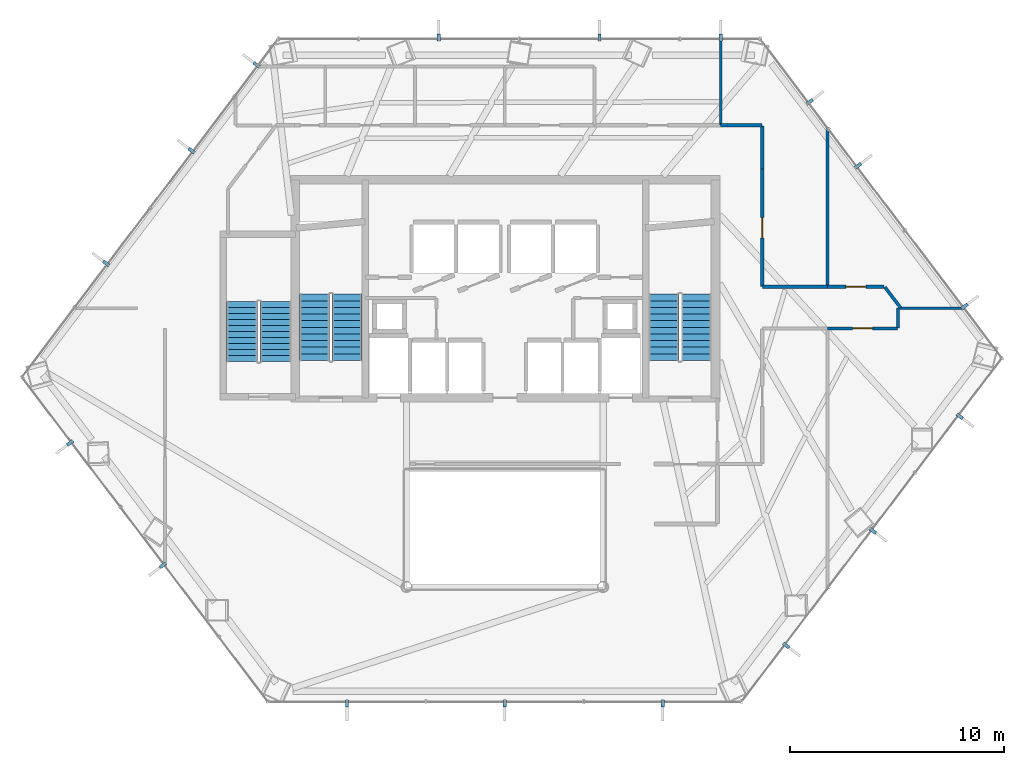
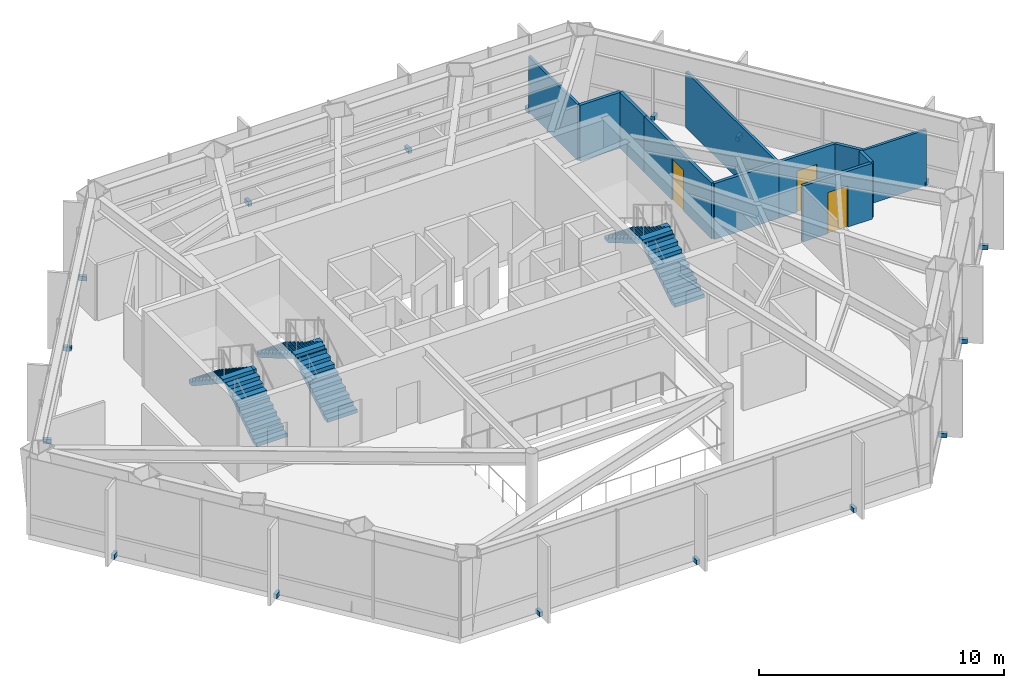
# One storey, part 26 of 27: 17 discrete accessories, 11 walls, 6 stair flights, 3 doors, 3 openings, 3 elements without a shape of their own.
"""IFC4 building model written with IfcOpenShell, lengths in metres."""

from ifc_helpers import new_model, si_unit, direction, frame, frame_2d, origin, origin_2d, place, context, subcontext, project, spatial, polyline, rectangle, outline, extrude, material, layer, layer_set, type_object, element, fill, aggregate, save


model = new_model("IFC4")

# Units and contexts
model_context = context("Model", 3, precision=1e-05, world=origin(), true_north=direction((0.0, 1.0)))
body_context = subcontext(model_context, "Body", "Model", "MODEL_VIEW")
ifc_project = project(units=[si_unit("LENGTHUNIT", "METRE"), si_unit("AREAUNIT", "SQUARE_METRE"), si_unit("VOLUMEUNIT", "CUBIC_METRE"), si_unit("PLANEANGLEUNIT", "RADIAN"), si_unit("MASSUNIT", "GRAM", prefix="KILO")], contexts=[model_context])

# Site, building, storey
site_placement = place(None, origin())
site = spatial("IfcSite", under=ifc_project, at=site_placement, CompositionType="ELEMENT")
building_placement = place(site_placement, origin())
building = spatial("IfcBuilding", under=site, at=building_placement, Name="Zarrinselat Tower", CompositionType="ELEMENT")
storey_placement = place(building_placement, frame((0.0, 0.0, 47.93994140625)))
storey = spatial("IfcBuildingStorey", under=building, at=storey_placement, Name="L11", CompositionType="ELEMENT", Elevation=47.93994140625)

# Wall
ifc_material_1 = material(Name="Fire-Rated Gypsum Board Partition", Category="gypsum")
ifc_layer_1 = layer(ifc_material_1, 0.14990234375)
ifc_layer_set_1 = layer_set([ifc_layer_1], Name="Fire-Rated Gypsum Board Partition")
wall_type_1 = type_object("IfcWallType", Name="WAL-PART-EI60", PredefinedType="PARTITIONING", material=ifc_layer_set_1)
wall_1_placement = place(storey_placement, frame((56.800048828125, 36.52001953125, 0.0), z_axis=(0.0, 0.0, 1.0), x_axis=(0.0, 1.0, 0.0)))
element("IfcWall", 1, at=wall_1_placement, inside=storey, type_object=wall_type_1, Name="L11 Partition Wall 20", PredefinedType="PARTITIONING", context=body_context, shape_type="SweptSolid", body=[
    extrude(rectangle(XDim=0.925048828125, YDim=0.14990234375, at=frame_2d((0.46240234375, 0.0))), origin(), (0.0, 0.0, 1.0), 2.777099609375),
])

# Wall, opening, door
wall_2_placement = place(storey_placement, frame((53.5048828125, 36.5, 0.0), z_axis=(0.0, 0.0, 1.0), x_axis=(1.0, 0.0, 0.0)))
wall_2 = element("IfcWall", 2, at=wall_2_placement, inside=storey, type_object=wall_type_1, Name="L11 Partition Wall 21", PredefinedType="PARTITIONING", context=body_context, shape_type="SweptSolid", body=[
    extrude(rectangle(XDim=3.275146484375, YDim=0.14990234375, at=frame_2d((1.6376953125, 0.0))), origin(), (0.0, 0.0, 1.0), 2.777099609375),
])
opening_1_placement = place(wall_2_placement, frame((1.16748046875, 0.0, 0.0)))
opening_1 = element("IfcOpeningElement", 3, at=opening_1_placement, cuts=wall_2, Name="Opening ID-04", PredefinedType="OPENING", context=body_context, shape_type="SweptSolid", body=[
    extrude(rectangle(XDim=0.93994140625, YDim=2.050048828125, at=frame_2d((0.469970703125, 1.02490234375))), frame((0.0, 0.0849609375, 0.0), z_axis=(0.0, -1.0, 0.0), x_axis=(1.0, 0.0, 0.0)), (0.0, 0.0, 1.0), 0.169921875),
])
ifc_material_2 = material(Name="Fire-Rated Gypsum Board Partition")
door_type = type_object("IfcDoorType", Name="DR-INT-FD30-ENT", OperationType="NOTDEFINED", PredefinedType="DOOR", material=ifc_material_2)
door_1_placement = place(opening_1_placement, origin())
door_1 = element("IfcDoor", 4, at=door_1_placement, inside=storey, type_object=door_type, Name="L11 Interior Door P21", OperationType="SINGLE_SWING_LEFT", OverallHeight=2.050048828125, OverallWidth=0.93994140625, PredefinedType="DOOR", context=body_context, shape_type="SweptSolid", body=[
    extrude(rectangle(XDim=0.93994140625, YDim=2.050048828125, at=frame_2d((0.469970703125, 1.02490234375))), frame((0.0, 0.02490234375, 0.0), z_axis=(0.0, -1.0, 0.0), x_axis=(1.0, 0.0, 0.0)), (0.0, 0.0, 1.0), 0.050048828125),
])
fill(opening_1, door_1)

wall_3_placement = place(storey_placement, frame((53.5048828125, 38.449951171875, 0.0), z_axis=(0.0, 0.0, 1.0), x_axis=(1.0, 0.0, 0.0)))
wall_3 = element("IfcWall", 5, at=wall_3_placement, inside=storey, type_object=wall_type_1, Name="L11 Partition Wall 22", PredefinedType="PARTITIONING", context=body_context, shape_type="SweptSolid", body=[
    extrude(rectangle(XDim=2.6474609375, YDim=0.14990234375, at=frame_2d((1.32373046875, 0.0))), origin(), (0.0, 0.0, 1.0), 2.777099609375),
])
opening_2_placement = place(wall_3_placement, frame((0.853515625, 0.0, 0.0)))
opening_2 = element("IfcOpeningElement", 6, at=opening_2_placement, cuts=wall_3, Name="Opening ID-04", PredefinedType="OPENING", context=body_context, shape_type="SweptSolid", body=[
    extrude(rectangle(XDim=0.93994140625, YDim=2.050048828125, at=frame_2d((0.469970703125, 1.02490234375))), frame((0.0, 0.0849609375, 0.0), z_axis=(0.0, -1.0, 0.0), x_axis=(1.0, 0.0, 0.0)), (0.0, 0.0, 1.0), 0.169921875),
])
door_2_placement = place(opening_2_placement, origin())
door_2 = element("IfcDoor", 7, at=door_2_placement, inside=storey, type_object=door_type, Name="L11 Interior Door P22", OperationType="SINGLE_SWING_RIGHT", OverallHeight=2.050048828125, OverallWidth=0.93994140625, PredefinedType="DOOR", context=body_context, shape_type="SweptSolid", body=[
    extrude(rectangle(XDim=0.93994140625, YDim=2.050048828125, at=frame_2d((0.469970703125, 1.02490234375))), frame((0.0, 0.02490234375, 0.0), z_axis=(0.0, -1.0, 0.0), x_axis=(1.0, 0.0, 0.0)), (0.0, 0.0, 1.0), 0.050048828125),
])
fill(opening_2, door_2)

# Walls
wall_4_placement = place(storey_placement, frame((56.184326171875, 38.43408203125, 0.0), z_axis=(0.0, 0.0, 1.0), x_axis=(0.603900079305, -0.797060031751, 0.0)))
element("IfcWall", 8, at=wall_4_placement, inside=storey, type_object=wall_type_1, Name="L11 Partition Wall 23", PredefinedType="PARTITIONING", context=body_context, shape_type="SweptSolid", body=[
    extrude(rectangle(XDim=1.2197265625, YDim=0.14990234375, at=frame_2d((0.60986328125, 0.0))), origin(), (0.0, 0.0, 1.0), 2.777099609375),
])
wall_5_placement = place(storey_placement, frame((48.5048828125, 46.0, 0.0), z_axis=(0.0, 0.0, 1.0), x_axis=(1.0, 0.0, 0.0)))
element("IfcWall", 9, at=wall_5_placement, inside=storey, type_object=wall_type_1, Name="L11 Partition Wall 26", PredefinedType="PARTITIONING", context=body_context, shape_type="SweptSolid", body=[
    extrude(rectangle(XDim=1.925048828125, YDim=0.14990234375, at=frame_2d((0.96240234375, 0.0))), origin(), (0.0, 0.0, 1.0), 2.777099609375),
])
wall_6_placement = place(storey_placement, frame((50.449951171875, 43.949951171875, 0.0), z_axis=(0.0, 0.0, 1.0), x_axis=(0.0, 1.0, 0.0)))
element("IfcWall", 10, at=wall_6_placement, inside=storey, type_object=wall_type_1, Name="L11 Partition Wall 27", PredefinedType="PARTITIONING", context=body_context, shape_type="SweptSolid", body=[
    extrude(rectangle(XDim=2.030029296875, YDim=0.14990234375, at=frame_2d((1.01513671875, 0.0))), origin(), (0.0, 0.0, 1.0), 2.777099609375),
])

# Wall, opening, door
wall_7_placement = place(storey_placement, frame((50.449951171875, 38.469970703125, 0.0), z_axis=(0.0, 0.0, 1.0), x_axis=(0.0, 1.0, 0.0)))
wall_7 = element("IfcWall", 11, at=wall_7_placement, inside=storey, type_object=wall_type_1, Name="L11 Partition Wall 28", PredefinedType="PARTITIONING", context=body_context, shape_type="SweptSolid", body=[
    extrude(rectangle(XDim=5.47998046875, YDim=0.14990234375, at=frame_2d((2.739990234375, 0.0))), origin(), (0.0, 0.0, 1.0), 2.777099609375),
])
opening_3_placement = place(wall_7_placement, frame((2.27001953125, 0.0, 0.0)))
opening_3 = element("IfcOpeningElement", 12, at=opening_3_placement, cuts=wall_7, Name="Opening ID-04", PredefinedType="OPENING", context=body_context, shape_type="SweptSolid", body=[
    extrude(rectangle(XDim=0.93994140625, YDim=2.050048828125, at=frame_2d((0.469970703125, 1.02490234375))), frame((0.0, 0.0849609375, 0.0), z_axis=(0.0, -1.0, 0.0), x_axis=(1.0, 0.0, 0.0)), (0.0, 0.0, 1.0), 0.169921875),
])
door_3_placement = place(opening_3_placement, origin())
door_3 = element("IfcDoor", 13, at=door_3_placement, inside=storey, type_object=door_type, Name="L11 Interior Door P28", OperationType="SINGLE_SWING_RIGHT", OverallHeight=2.050048828125, OverallWidth=0.93994140625, PredefinedType="DOOR", context=body_context, shape_type="SweptSolid", body=[
    extrude(rectangle(XDim=0.93994140625, YDim=2.050048828125, at=frame_2d((0.469970703125, 1.02490234375))), frame((0.0, 0.02490234375, 0.0), z_axis=(0.0, -1.0, 0.0), x_axis=(1.0, 0.0, 0.0)), (0.0, 0.0, 1.0), 0.050048828125),
])
fill(opening_3, door_3)

# Walls
wall_8_placement = place(storey_placement, frame((50.469970703125, 38.449951171875, 0.0), z_axis=(0.0, 0.0, 1.0), x_axis=(1.0, 0.0, 0.0)))
element("IfcWall", 14, at=wall_8_placement, inside=storey, type_object=wall_type_1, Name="L11 Partition Wall 29", PredefinedType="PARTITIONING", context=body_context, shape_type="SweptSolid", body=[
    extrude(rectangle(XDim=3.025146484375, YDim=0.14990234375, at=frame_2d((1.5126953125, 0.0))), origin(), (0.0, 0.0, 1.0), 2.777099609375),
])
ifc_material_3 = material(Name="Fire-Rated Gypsum Board Partition", Category="gypsum")
ifc_layer_2 = layer(ifc_material_3, 0.1201171875)
ifc_layer_set_2 = layer_set([ifc_layer_2], Name="Fire-Rated Gypsum Board Partition")
wall_type_2 = type_object("IfcWallType", Name="WAL-PART-STD", PredefinedType="PARTITIONING", material=ifc_layer_set_2)
wall_9_placement = place(storey_placement, frame((56.820068359375, 37.449951171875, 0.0), z_axis=(0.0, 0.0, 1.0), x_axis=(1.0, 0.0, 0.0)))
element("IfcWall", 15, at=wall_9_placement, inside=storey, type_object=wall_type_2, Name="L11 Partition Wall 43", PredefinedType="PARTITIONING", context=body_context, shape_type="SweptSolid", body=[
    extrude(rectangle(XDim=3.055419921875, YDim=0.1201171875, at=frame_2d((1.52783203125, 0.0))), origin(), (0.0, 0.0, 1.0), 2.777099609375),
])
wall_10_placement = place(storey_placement, frame((53.5, 38.469970703125, 0.0), z_axis=(0.0, 0.0, 1.0), x_axis=(0.0, 1.0, 0.0)))
element("IfcWall", 16, at=wall_10_placement, inside=storey, type_object=wall_type_2, Name="L11 Partition Wall 45", PredefinedType="PARTITIONING", context=body_context, shape_type="SweptSolid", body=[
    extrude(rectangle(XDim=7.400634765625, YDim=0.1201171875, at=frame_2d((3.7001953125, 0.0))), origin(), (0.0, 0.0, 1.0), 2.777099609375),
])
wall_11_placement = place(storey_placement, frame((48.5, 46.02001953125, 0.0), z_axis=(0.0, 0.0, 1.0), x_axis=(0.0, 1.0, 0.0)))
element("IfcWall", 17, at=wall_11_placement, inside=storey, type_object=wall_type_2, Name="L11 Partition Wall 46", PredefinedType="PARTITIONING", context=body_context, shape_type="SweptSolid", body=[
    extrude(rectangle(XDim=4.00927734375, YDim=0.1201171875, at=frame_2d((2.004638671875, 0.0))), origin(), (0.0, 0.0, 1.0), 2.777099609375),
])

# Stair, stair flights
ifc_material_4 = material(Name="Concrete C40/50", Category="concrete")
stair_type_1 = type_object("IfcStairType", Name="STR-CORE-145", PredefinedType="HALF_TURN_STAIR", material=ifc_material_4)
stair_1_placement = place(storey_placement, origin())
stair_1 = element("IfcStair", 18, at=stair_1_placement, inside=storey, type_object=stair_type_1, Name="L11 Podium & Mid-Tower Exit Stair 3", PredefinedType="HALF_TURN_STAIR")
ifc_material_5 = material(Name="Concrete C40/50", Category="concrete")
stair_flight_type_1 = type_object("IfcStairFlightType", Name="STR-FLT-145", PredefinedType="STRAIGHT", material=ifc_material_5)
stair_flight_1_placement = place(storey_placement, frame((27.675048828125, 34.949951171875, 0.0), z_axis=(0.0, 0.0, 1.0), x_axis=(0.0, 1.0, 0.0)))
stair_flight_1 = element("IfcStairFlight", 19, at=stair_flight_1_placement, type_object=stair_flight_type_1, Name="ST-3 flight 1", NumberOfRisers=11, NumberOfTreads=10, PredefinedType="STRAIGHT", RiserHeight=0.185454545, TreadLength=0.28, context=body_context, shape_type="SweptSolid", body=[
    extrude(outline(polyline([(0.0, 0.0), (0.0, 0.185546875), (0.280029296875, 0.185546875), (0.280029296875, 0.370849609375), (0.56005859375, 0.370849609375), (0.56005859375, 0.556396484375), (0.840087890625, 0.556396484375), (0.840087890625, 0.74169921875), (1.1201171875, 0.74169921875), (1.1201171875, 0.92724609375), (1.39990234375, 0.92724609375), (1.39990234375, 1.11279296875), (1.679931640625, 1.11279296875), (1.679931640625, 1.298095703125), (1.9599609375, 1.298095703125), (1.9599609375, 1.483642578125), (2.239990234375, 1.483642578125), (2.239990234375, 1.669189453125), (2.52001953125, 1.669189453125), (2.52001953125, 1.8544921875), (2.800048828125, 1.8544921875), (2.800048828125, 2.0400390625), (2.800048828125, 1.6748046875), (0.271484375, 0.0), (0.0, 0.0)])), frame((0.0, 0.72509765625, 0.0), z_axis=(0.0, -1.0, 0.0), x_axis=(1.0, 0.0, 0.0)), (0.0, 0.0, 1.0), 1.449951171875),
])
stair_flight_2_placement = place(storey_placement, frame((26.10498046875, 37.75, 2.0400390625), z_axis=(0.0, 0.0, 1.0), x_axis=(0.0, -1.0, 0.0)))
stair_flight_2 = element("IfcStairFlight", 20, at=stair_flight_2_placement, type_object=stair_flight_type_1, Name="ST-3 flight 2", NumberOfRisers=11, NumberOfTreads=10, PredefinedType="STRAIGHT", RiserHeight=0.185454545, TreadLength=0.28, context=body_context, shape_type="SweptSolid", body=[
    extrude(outline(polyline([(0.0, 0.0), (0.0, 0.185546875), (0.280029296875, 0.185546875), (0.280029296875, 0.370849609375), (0.56005859375, 0.370849609375), (0.56005859375, 0.556396484375), (0.840087890625, 0.556396484375), (0.840087890625, 0.74169921875), (1.1201171875, 0.74169921875), (1.1201171875, 0.92724609375), (1.39990234375, 0.92724609375), (1.39990234375, 1.11279296875), (1.679931640625, 1.11279296875), (1.679931640625, 1.298095703125), (1.9599609375, 1.298095703125), (1.9599609375, 1.483642578125), (2.239990234375, 1.483642578125), (2.239990234375, 1.669189453125), (2.52001953125, 1.669189453125), (2.52001953125, 1.8544921875), (2.800048828125, 1.8544921875), (2.800048828125, 2.0400390625), (2.800048828125, 1.6748046875), (0.271484375, 0.0), (0.0, 0.0)])), frame((0.0, 0.72509765625, 0.0), z_axis=(0.0, -1.0, 0.0), x_axis=(1.0, 0.0, 0.0)), (0.0, 0.0, 1.0), 1.449951171875),
])
aggregate(stair_1, [stair_flight_1, stair_flight_2])

ifc_material_6 = material(Name="Concrete C40/50", Category="concrete")
stair_type_2 = type_object("IfcStairType", Name="STR-CORE-155", PredefinedType="HALF_TURN_STAIR", material=ifc_material_6)
stair_2_placement = place(storey_placement, origin())
stair_2 = element("IfcStair", 21, at=stair_2_placement, inside=storey, type_object=stair_type_2, Name="L11 Core Exit Stair 1", PredefinedType="HALF_TURN_STAIR")
ifc_material_7 = material(Name="Concrete C40/50", Category="concrete")
stair_flight_type_2 = type_object("IfcStairFlightType", Name="STR-FLT-155", PredefinedType="STRAIGHT", material=ifc_material_7)
stair_flight_3_placement = place(storey_placement, frame((31.02001953125, 35.0, 0.0), z_axis=(0.0, 0.0, 1.0), x_axis=(0.0, 1.0, 0.0)))
stair_flight_3 = element("IfcStairFlight", 22, at=stair_flight_3_placement, type_object=stair_flight_type_2, Name="ST-1 flight 1", NumberOfRisers=11, NumberOfTreads=10, PredefinedType="STRAIGHT", RiserHeight=0.185454545, TreadLength=0.31, context=body_context, shape_type="SweptSolid", body=[
    extrude(outline(polyline([(0.0, 0.0), (0.0, 0.185546875), (0.31005859375, 0.185546875), (0.31005859375, 0.370849609375), (0.6201171875, 0.370849609375), (0.6201171875, 0.556396484375), (0.929931640625, 0.556396484375), (0.929931640625, 0.74169921875), (1.239990234375, 0.74169921875), (1.239990234375, 0.92724609375), (1.550048828125, 0.92724609375), (1.550048828125, 1.11279296875), (1.860107421875, 1.11279296875), (1.860107421875, 1.298095703125), (2.169921875, 1.298095703125), (2.169921875, 1.483642578125), (2.47998046875, 1.483642578125), (2.47998046875, 1.669189453125), (2.7900390625, 1.669189453125), (2.7900390625, 1.8544921875), (3.10009765625, 1.8544921875), (3.10009765625, 2.0400390625), (3.10009765625, 1.679931640625), (0.2919921875, 0.0), (0.0, 0.0)])), frame((0.0, 0.699951171875, 0.0), z_axis=(0.0, -1.0, 0.0), x_axis=(1.0, 0.0, 0.0)), (0.0, 0.0, 1.0), 1.39990234375),
])
stair_flight_4_placement = place(storey_placement, frame((29.5, 38.10009765625, 2.0400390625), z_axis=(0.0, 0.0, 1.0), x_axis=(0.0, -1.0, 0.0)))
stair_flight_4 = element("IfcStairFlight", 23, at=stair_flight_4_placement, type_object=stair_flight_type_2, Name="ST-1 flight 2", NumberOfRisers=11, NumberOfTreads=10, PredefinedType="STRAIGHT", RiserHeight=0.185454545, TreadLength=0.31, context=body_context, shape_type="SweptSolid", body=[
    extrude(outline(polyline([(0.0, 0.0), (0.0, 0.185546875), (0.31005859375, 0.185546875), (0.31005859375, 0.370849609375), (0.6201171875, 0.370849609375), (0.6201171875, 0.556396484375), (0.929931640625, 0.556396484375), (0.929931640625, 0.74169921875), (1.239990234375, 0.74169921875), (1.239990234375, 0.92724609375), (1.550048828125, 0.92724609375), (1.550048828125, 1.11279296875), (1.860107421875, 1.11279296875), (1.860107421875, 1.298095703125), (2.169921875, 1.298095703125), (2.169921875, 1.483642578125), (2.47998046875, 1.483642578125), (2.47998046875, 1.669189453125), (2.7900390625, 1.669189453125), (2.7900390625, 1.8544921875), (3.10009765625, 1.8544921875), (3.10009765625, 2.0400390625), (3.10009765625, 1.679931640625), (0.2919921875, 0.0), (0.0, 0.0)])), frame((0.0, 0.699951171875, 0.0), z_axis=(0.0, -1.0, 0.0), x_axis=(1.0, 0.0, 0.0)), (0.0, 0.0, 1.0), 1.39990234375),
])
aggregate(stair_2, [stair_flight_3, stair_flight_4])

stair_3_placement = place(storey_placement, origin())
stair_3 = element("IfcStair", 24, at=stair_3_placement, inside=storey, type_object=stair_type_2, Name="L11 Core Exit Stair 2", PredefinedType="HALF_TURN_STAIR")
stair_flight_5_placement = place(storey_placement, frame((47.360107421875, 35.0, 0.0), z_axis=(0.0, 0.0, 1.0), x_axis=(0.0, 1.0, 0.0)))
stair_flight_5 = element("IfcStairFlight", 25, at=stair_flight_5_placement, type_object=stair_flight_type_2, Name="ST-2 flight 1", NumberOfRisers=11, NumberOfTreads=10, PredefinedType="STRAIGHT", RiserHeight=0.185454545, TreadLength=0.31, context=body_context, shape_type="SweptSolid", body=[
    extrude(outline(polyline([(0.0, 0.0), (0.0, 0.185546875), (0.31005859375, 0.185546875), (0.31005859375, 0.370849609375), (0.6201171875, 0.370849609375), (0.6201171875, 0.556396484375), (0.929931640625, 0.556396484375), (0.929931640625, 0.74169921875), (1.239990234375, 0.74169921875), (1.239990234375, 0.92724609375), (1.550048828125, 0.92724609375), (1.550048828125, 1.11279296875), (1.860107421875, 1.11279296875), (1.860107421875, 1.298095703125), (2.169921875, 1.298095703125), (2.169921875, 1.483642578125), (2.47998046875, 1.483642578125), (2.47998046875, 1.669189453125), (2.7900390625, 1.669189453125), (2.7900390625, 1.8544921875), (3.10009765625, 1.8544921875), (3.10009765625, 2.0400390625), (3.10009765625, 1.679931640625), (0.2919921875, 0.0), (0.0, 0.0)])), frame((0.0, 0.699951171875, 0.0), z_axis=(0.0, -1.0, 0.0), x_axis=(1.0, 0.0, 0.0)), (0.0, 0.0, 1.0), 1.39990234375),
])
stair_flight_6_placement = place(storey_placement, frame((45.840087890625, 38.10009765625, 2.0400390625), z_axis=(0.0, 0.0, 1.0), x_axis=(0.0, -1.0, 0.0)))
stair_flight_6 = element("IfcStairFlight", 26, at=stair_flight_6_placement, type_object=stair_flight_type_2, Name="ST-2 flight 2", NumberOfRisers=11, NumberOfTreads=10, PredefinedType="STRAIGHT", RiserHeight=0.185454545, TreadLength=0.31, context=body_context, shape_type="SweptSolid", body=[
    extrude(outline(polyline([(0.0, 0.0), (0.0, 0.185546875), (0.31005859375, 0.185546875), (0.31005859375, 0.370849609375), (0.6201171875, 0.370849609375), (0.6201171875, 0.556396484375), (0.929931640625, 0.556396484375), (0.929931640625, 0.74169921875), (1.239990234375, 0.74169921875), (1.239990234375, 0.92724609375), (1.550048828125, 0.92724609375), (1.550048828125, 1.11279296875), (1.860107421875, 1.11279296875), (1.860107421875, 1.298095703125), (2.169921875, 1.298095703125), (2.169921875, 1.483642578125), (2.47998046875, 1.483642578125), (2.47998046875, 1.669189453125), (2.7900390625, 1.669189453125), (2.7900390625, 1.8544921875), (3.10009765625, 1.8544921875), (3.10009765625, 2.0400390625), (3.10009765625, 1.679931640625), (0.2919921875, 0.0), (0.0, 0.0)])), frame((0.0, 0.699951171875, 0.0), z_axis=(0.0, -1.0, 0.0), x_axis=(1.0, 0.0, 0.0)), (0.0, 0.0, 1.0), 1.39990234375),
])
aggregate(stair_3, [stair_flight_5, stair_flight_6])

# Discrete accessories
ifc_material_8 = material(Name="Steel S355J2", Category="steel")
discrete_accessory_type = type_object("IfcDiscreteAccessoryType", Name="ACC-FIN-BRACKET", PredefinedType="BRACKET", material=ifc_material_8)
for number, where, z_axis, x_axis, name in (
    (27, (48.5, 50.114501953125, -0.0498046875), (0.0, 0.0, 1.0), (0.0, 1.0, 0.0), "L11 Fin Fixing Bracket CW-L11-E01-01"),
    (28, (42.83251953125, 50.114501953125, -0.0498046875), (0.0, 0.0, 1.0), (0.0, 1.0, 0.0), "L11 Fin Fixing Bracket CW-L11-E01-03"),
    (29, (35.31591796875, 50.114501953125, -0.0498046875), (0.0, 0.0, 1.0), (0.0, 1.0, 0.0), "L11 Fin Fixing Bracket CW-L11-E01-05"),
    (30, (26.790283203125, 48.82861328125, -0.0498046875), (0.0, 0.0, 1.0), (-0.797092735952, 0.603856912101, 0.0), "L11 Fin Fixing Bracket CW-L11-E02-01"),
    (31, (23.74755859375, 44.812255859375, -0.0498046875), (0.0, 0.0, 1.0), (-0.797092735952, 0.603856912101, 0.0), "L11 Fin Fixing Bracket CW-L11-E02-03"),
    (32, (19.751708984375, 39.537841796875, -0.0498046875), (0.0, 0.0, 1.0), (-0.797092735952, 0.603856912101, 0.0), "L11 Fin Fixing Bracket CW-L11-E02-05"),
    (33, (18.05859375, 31.13916015625, -0.0498046875), (0.0, 0.0, 1.0), (-0.797092454142, -0.603857284091, 0.0), "L11 Fin Fixing Bracket CW-L11-E03-01"),
    (34, (22.396484375, 25.413330078125, -0.0498046875), (0.0, 0.0, 1.0), (-0.797092454142, -0.603857284091, 0.0), "L11 Fin Fixing Bracket CW-L11-E03-03"),
    (35, (31.016845703125, 18.952880859375, -0.0498046875), (0.0, 0.0, 1.0), (0.0, -1.0, 0.0), "L11 Fin Fixing Bracket CW-L11-E04-01"),
    (36, (38.39990234375, 18.952880859375, -0.0498046875), (0.0, 0.0, 1.0), (0.0, -1.0, 0.0), "L11 Fin Fixing Bracket CW-L11-E04-03"),
    (37, (45.783203125, 18.952880859375, -0.0498046875), (0.0, 0.0, 1.0), (0.0, -1.0, 0.0), "L11 Fin Fixing Bracket CW-L11-E04-05"),
    (38, (51.561767578125, 21.661865234375, -0.0498046875), (0.0, 0.0, 1.0), (0.797091064164, -0.603859118859, 0.0), "L11 Fin Fixing Bracket CW-L11-E05-01"),
    (39, (55.62451171875, 27.024658203125, -0.0498046875), (0.0, 0.0, 1.0), (0.797091064164, -0.603859118859, 0.0), "L11 Fin Fixing Bracket CW-L11-E05-03"),
    (40, (59.68701171875, 32.38720703125, -0.0498046875), (0.0, 0.0, 1.0), (0.797091064164, -0.603859118859, 0.0), "L11 Fin Fixing Bracket CW-L11-E05-05"),
    (41, (59.9189453125, 37.528564453125, -0.0498046875), (0.0, 0.0, 1.0), (0.797091681031, 0.603858304597, 0.0), "L11 Fin Fixing Bracket CW-L11-E06-01"),
    (42, (54.930419921875, 44.11328125, -0.0498046875), (0.0, 0.0, 1.0), (0.797091681031, 0.603858304597, 0.0), "L11 Fin Fixing Bracket CW-L11-E06-03"),
    (43, (52.667724609375, 47.10009765625, -0.0498046875), (0.0, 0.0, 1.0), (0.797091681031, 0.603858304597, 0.0), "L11 Fin Fixing Bracket CW-L11-E06-05"),
):
    element("IfcDiscreteAccessory", number, at=place(storey_placement, frame(where, z_axis=z_axis, x_axis=x_axis)), inside=storey, type_object=discrete_accessory_type, Name=name, PredefinedType="BRACKET", context=body_context, shape_type="SweptSolid", body=[
        extrude(rectangle(XDim=0.340087890625, YDim=0.159912109375, at=origin_2d()), origin(), (0.0, 0.0, 1.0), 0.219970703125),
    ])

save(model, "model.ifc")
